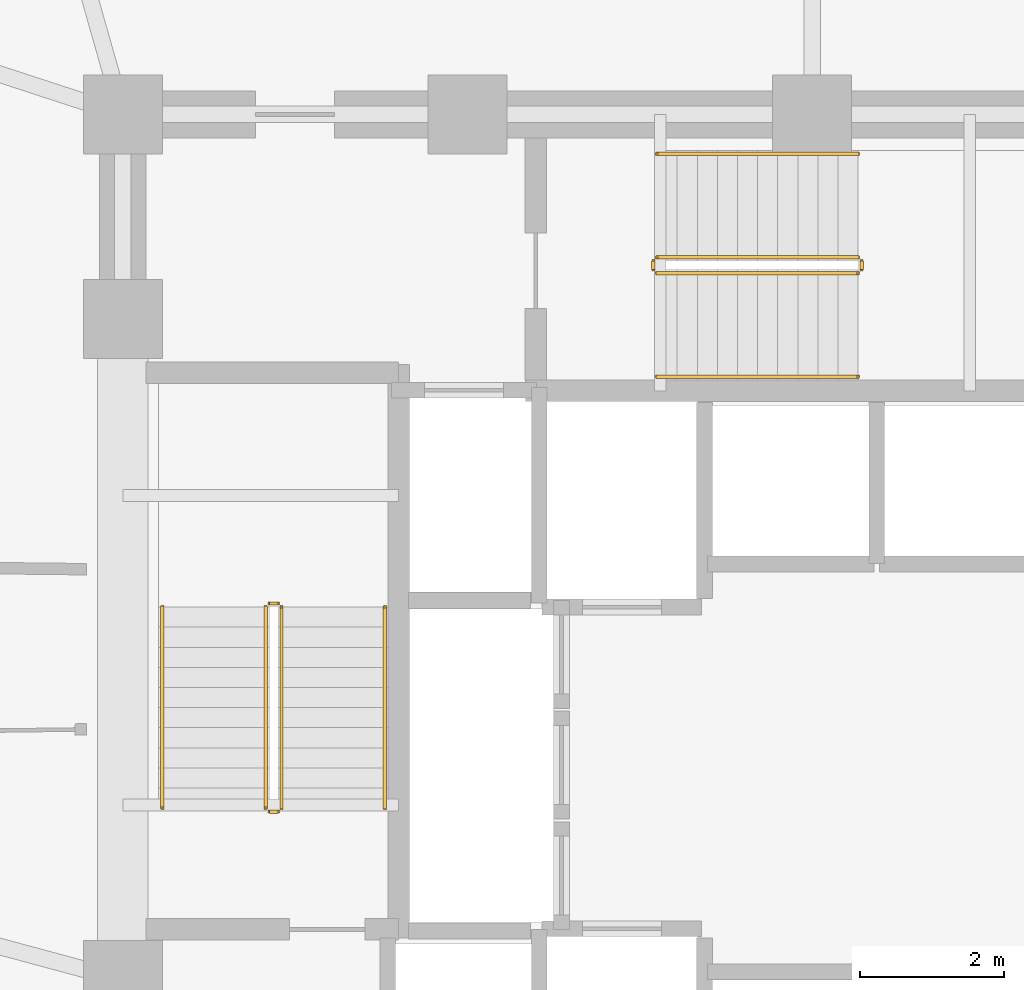
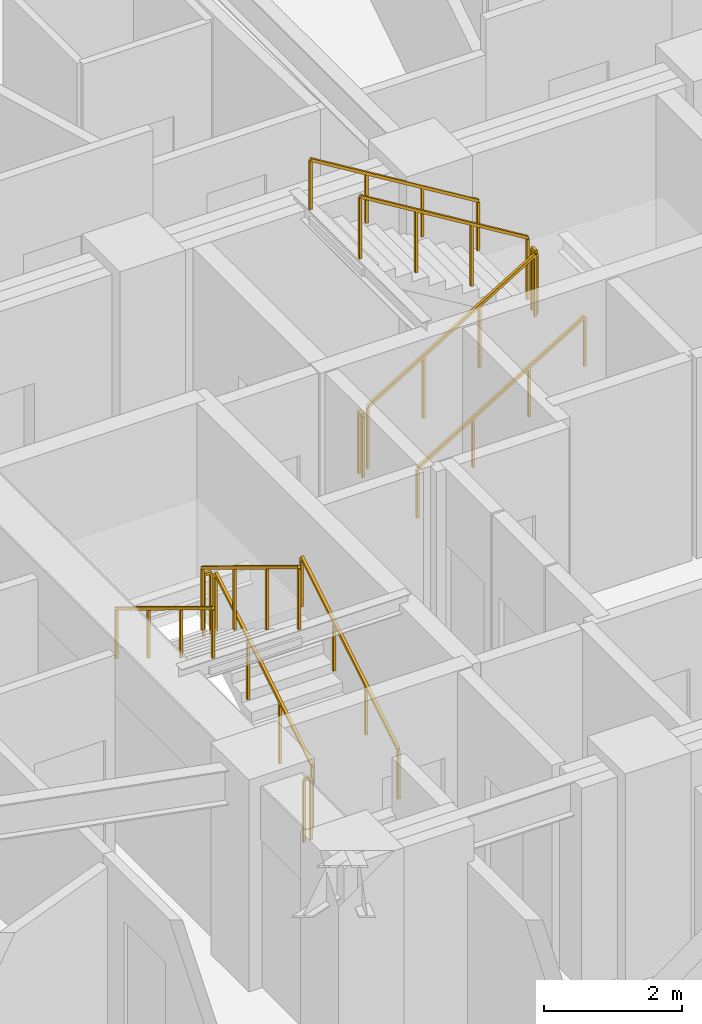
# One storey, part 10 of 12: 12 railings.
"""IFC4 building model written with IfcOpenShell, lengths in metres."""

from ifc_helpers import new_model, si_unit, direction, frame, origin, origin_2d, place, context, subcontext, project, spatial, rectangle, extrude, material, type_object, element, save


model = new_model("IFC4")

# Units and contexts
model_context = context("Model", 3, precision=1e-05, world=origin(), true_north=direction((0.0, 1.0)))
body_context = subcontext(model_context, "Body", "Model", "MODEL_VIEW")
ifc_project = project(units=[si_unit("LENGTHUNIT", "METRE"), si_unit("AREAUNIT", "SQUARE_METRE"), si_unit("VOLUMEUNIT", "CUBIC_METRE"), si_unit("PLANEANGLEUNIT", "RADIAN"), si_unit("MASSUNIT", "GRAM", prefix="KILO")], contexts=[model_context])

# Site, building, storey
site_placement = place(None, origin())
site = spatial("IfcSite", under=ifc_project, at=site_placement, CompositionType="ELEMENT")
building_placement = place(site_placement, origin())
building = spatial("IfcBuilding", under=site, at=building_placement, Name="Vantalir Tower", CompositionType="ELEMENT")
storey_placement = place(building_placement, frame((0.0, 0.0, 38.25)))
storey = spatial("IfcBuildingStorey", under=building, at=storey_placement, Name="L08", CompositionType="ELEMENT", Elevation=38.25)

# Railings
ifc_material_1 = material(Name="Anodised aluminium and stainless steel guard", Category="steel")
railing_type_1 = type_object("IfcRailingType", Name="RAL-GUARD-1120", PredefinedType="GUARDRAIL", material=ifc_material_1)
railing_1_placement = place(storey_placement, frame((24.110107421875, 22.7900390625, 0.17041015625)))
element("IfcRailing", 1, at=railing_1_placement, inside=storey, type_object=railing_type_1, Name="L08 ST1 stair guard 1", PredefinedType="GUARDRAIL", context=body_context, shape_type="SweptSolid", body=[
    extrude(rectangle(XDim=0.048095703125, YDim=0.048095703125, at=origin_2d()), frame((0.0, 0.0, 1.09619140625), z_axis=(0.0, 0.854169791009, 0.51999420009), x_axis=(-1.0, 0.0, 0.0)), (0.0, 0.0, 1.0), 3.278076171875),
    extrude(rectangle(XDim=0.0419921875, YDim=0.0419921875, at=origin_2d()), origin(), (0.0, 0.0, 1.0), 1.072021484375),
    extrude(rectangle(XDim=0.0419921875, YDim=0.0419921875, at=origin_2d()), frame((0.0, 0.933349609375, 0.568115234375)), (0.0, 0.0, 1.0), 1.072021484375),
    extrude(rectangle(XDim=0.0419921875, YDim=0.0419921875, at=origin_2d()), frame((0.0, 1.86669921875, 1.136474609375)), (0.0, 0.0, 1.0), 1.072021484375),
    extrude(rectangle(XDim=0.0419921875, YDim=0.0419921875, at=origin_2d()), frame((0.0, 2.800048828125, 1.70458984375)), (0.0, 0.0, 1.0), 1.072021484375),
])
railing_2_placement = place(storey_placement, frame((24.06005859375, 25.639892578125, 1.875)))
element("IfcRailing", 2, at=railing_2_placement, inside=storey, type_object=railing_type_1, Name="L08 ST1 stair guard 2", PredefinedType="GUARDRAIL", context=body_context, shape_type="SweptSolid", body=[
    extrude(rectangle(XDim=0.048095703125, YDim=0.048095703125, at=origin_2d()), frame((0.0, 0.0, 1.09619140625), z_axis=(-1.0, 0.0, 0.0), x_axis=(0.0, -1.0, 0.0)), (0.0, 0.0, 1.0), 0.1201171875),
    extrude(rectangle(XDim=0.0419921875, YDim=0.0419921875, at=origin_2d()), origin(), (0.0, 0.0, 1.0), 1.072021484375),
    extrude(rectangle(XDim=0.0419921875, YDim=0.0419921875, at=origin_2d()), frame((-0.1201171875, 0.0, 0.0)), (0.0, 0.0, 1.0), 1.072021484375),
])
railing_3_placement = place(storey_placement, frame((23.889892578125, 25.590087890625, 2.04541015625)))
element("IfcRailing", 3, at=railing_3_placement, inside=storey, type_object=railing_type_1, Name="L08 ST1 stair guard 3", PredefinedType="GUARDRAIL", context=body_context, shape_type="SweptSolid", body=[
    extrude(rectangle(XDim=0.048095703125, YDim=0.048095703125, at=origin_2d()), frame((0.0, 0.0, 1.09619140625), z_axis=(0.0, -0.854169791009, 0.51999420009), x_axis=(1.0, 0.0, 0.0)), (0.0, 0.0, 1.0), 3.278076171875),
    extrude(rectangle(XDim=0.0419921875, YDim=0.0419921875, at=origin_2d()), origin(), (0.0, 0.0, 1.0), 1.072021484375),
    extrude(rectangle(XDim=0.0419921875, YDim=0.0419921875, at=origin_2d()), frame((0.0, -0.933349609375, 0.568115234375)), (0.0, 0.0, 1.0), 1.072021484375),
    extrude(rectangle(XDim=0.0419921875, YDim=0.0419921875, at=origin_2d()), frame((0.0, -1.86669921875, 1.136474609375)), (0.0, 0.0, 1.0), 1.072021484375),
    extrude(rectangle(XDim=0.0419921875, YDim=0.0419921875, at=origin_2d()), frame((0.0, -2.800048828125, 1.70458984375)), (0.0, 0.0, 1.0), 1.072021484375),
])
railing_4_placement = place(storey_placement, frame((24.06005859375, 22.739990234375, 0.0)))
element("IfcRailing", 4, at=railing_4_placement, inside=storey, type_object=railing_type_1, Name="L08 ST1 stair guard 4", PredefinedType="GUARDRAIL", context=body_context, shape_type="SweptSolid", body=[
    extrude(rectangle(XDim=0.048095703125, YDim=0.048095703125, at=origin_2d()), frame((0.0, 0.0, 1.09619140625), z_axis=(-1.0, 0.0, 0.0), x_axis=(0.0, -1.0, 0.0)), (0.0, 0.0, 1.0), 0.1201171875),
    extrude(rectangle(XDim=0.0419921875, YDim=0.0419921875, at=origin_2d()), origin(), (0.0, 0.0, 1.0), 1.072021484375),
    extrude(rectangle(XDim=0.0419921875, YDim=0.0419921875, at=origin_2d()), frame((-0.1201171875, 0.0, 0.0)), (0.0, 0.0, 1.0), 1.072021484375),
])
railing_5_placement = place(storey_placement, frame((29.340087890625, 30.239990234375, 0.17041015625)))
element("IfcRailing", 5, at=railing_5_placement, inside=storey, type_object=railing_type_1, Name="L08 ST3 stair guard 1", PredefinedType="GUARDRAIL", context=body_context, shape_type="SweptSolid", body=[
    extrude(rectangle(XDim=0.048095703125, YDim=0.048095703125, at=origin_2d()), frame((0.0, 0.0, 1.09619140625), z_axis=(0.854149651119, 0.0, 0.520027281489), x_axis=(0.0, 1.0, 0.0)), (0.0, 0.0, 1.0), 3.27783203125),
    extrude(rectangle(XDim=0.0419921875, YDim=0.0419921875, at=origin_2d()), origin(), (0.0, 0.0, 1.0), 1.072021484375),
    extrude(rectangle(XDim=0.0419921875, YDim=0.0419921875, at=origin_2d()), frame((0.933349609375, 0.0, 0.568115234375)), (0.0, 0.0, 1.0), 1.072021484375),
    extrude(rectangle(XDim=0.0419921875, YDim=0.0419921875, at=origin_2d()), frame((1.866455078125, 0.0, 1.136474609375)), (0.0, 0.0, 1.0), 1.072021484375),
    extrude(rectangle(XDim=0.0419921875, YDim=0.0419921875, at=origin_2d()), frame((2.7998046875, 0.0, 1.70458984375)), (0.0, 0.0, 1.0), 1.072021484375),
])
railing_6_placement = place(storey_placement, frame((32.18994140625, 30.2900390625, 1.875)))
element("IfcRailing", 6, at=railing_6_placement, inside=storey, type_object=railing_type_1, Name="L08 ST3 stair guard 2", PredefinedType="GUARDRAIL", context=body_context, shape_type="SweptSolid", body=[
    extrude(rectangle(XDim=0.048095703125, YDim=0.048095703125, at=origin_2d()), frame((0.0, 0.0, 1.09619140625), z_axis=(0.0, 1.0, 0.0), x_axis=(-1.0, 0.0, 0.0)), (0.0, 0.0, 1.0), 0.119873046875),
    extrude(rectangle(XDim=0.0419921875, YDim=0.0419921875, at=origin_2d()), origin(), (0.0, 0.0, 1.0), 1.072021484375),
    extrude(rectangle(XDim=0.0419921875, YDim=0.0419921875, at=origin_2d()), frame((0.0, 0.119873046875, 0.0)), (0.0, 0.0, 1.0), 1.072021484375),
])
railing_7_placement = place(storey_placement, frame((32.139892578125, 30.4599609375, 2.04541015625)))
element("IfcRailing", 7, at=railing_7_placement, inside=storey, type_object=railing_type_1, Name="L08 ST3 stair guard 3", PredefinedType="GUARDRAIL", context=body_context, shape_type="SweptSolid", body=[
    extrude(rectangle(XDim=0.048095703125, YDim=0.048095703125, at=origin_2d()), frame((0.0, 0.0, 1.09619140625), z_axis=(-0.854149651119, 0.0, 0.520027281489), x_axis=(0.0, -1.0, 0.0)), (0.0, 0.0, 1.0), 3.27783203125),
    extrude(rectangle(XDim=0.0419921875, YDim=0.0419921875, at=origin_2d()), origin(), (0.0, 0.0, 1.0), 1.072021484375),
    extrude(rectangle(XDim=0.0419921875, YDim=0.0419921875, at=origin_2d()), frame((-0.933349609375, 0.0, 0.568115234375)), (0.0, 0.0, 1.0), 1.072021484375),
    extrude(rectangle(XDim=0.0419921875, YDim=0.0419921875, at=origin_2d()), frame((-1.866455078125, 0.0, 1.136474609375)), (0.0, 0.0, 1.0), 1.072021484375),
    extrude(rectangle(XDim=0.0419921875, YDim=0.0419921875, at=origin_2d()), frame((-2.7998046875, 0.0, 1.70458984375)), (0.0, 0.0, 1.0), 1.072021484375),
])
railing_8_placement = place(storey_placement, frame((29.2900390625, 30.2900390625, 0.0)))
element("IfcRailing", 8, at=railing_8_placement, inside=storey, type_object=railing_type_1, Name="L08 ST3 stair guard 4", PredefinedType="GUARDRAIL", context=body_context, shape_type="SweptSolid", body=[
    extrude(rectangle(XDim=0.048095703125, YDim=0.048095703125, at=origin_2d()), frame((0.0, 0.0, 1.09619140625), z_axis=(0.0, 1.0, 0.0), x_axis=(-1.0, 0.0, 0.0)), (0.0, 0.0, 1.0), 0.119873046875),
    extrude(rectangle(XDim=0.0419921875, YDim=0.0419921875, at=origin_2d()), origin(), (0.0, 0.0, 1.0), 1.072021484375),
    extrude(rectangle(XDim=0.0419921875, YDim=0.0419921875, at=origin_2d()), frame((0.0, 0.119873046875, 0.0)), (0.0, 0.0, 1.0), 1.072021484375),
])
ifc_material_2 = material(Name="Brushed stainless steel tubular handrail", Category="steel")
railing_type_2 = type_object("IfcRailingType", Name="RAL-HANDRAIL-900", PredefinedType="HANDRAIL", material=ifc_material_2)
railing_9_placement = place(storey_placement, frame((25.550048828125, 22.7900390625, 0.17041015625)))
element("IfcRailing", 9, at=railing_9_placement, inside=storey, type_object=railing_type_2, Name="L08 ST1 stair handrail 1", PredefinedType="HANDRAIL", context=body_context, shape_type="SweptSolid", body=[
    extrude(rectangle(XDim=0.048095703125, YDim=0.048095703125, at=origin_2d()), frame((0.0, 0.0, 0.8759765625), z_axis=(0.0, 0.854169791009, 0.51999420009), x_axis=(-1.0, 0.0, 0.0)), (0.0, 0.0, 1.0), 3.278076171875),
    extrude(rectangle(XDim=0.0419921875, YDim=0.0419921875, at=origin_2d()), origin(), (0.0, 0.0, 1.0), 0.851806640625),
    extrude(rectangle(XDim=0.0419921875, YDim=0.0419921875, at=origin_2d()), frame((0.0, 0.933349609375, 0.568115234375)), (0.0, 0.0, 1.0), 0.851806640625),
    extrude(rectangle(XDim=0.0419921875, YDim=0.0419921875, at=origin_2d()), frame((0.0, 1.86669921875, 1.136474609375)), (0.0, 0.0, 1.0), 0.851806640625),
    extrude(rectangle(XDim=0.0419921875, YDim=0.0419921875, at=origin_2d()), frame((0.0, 2.800048828125, 1.70458984375)), (0.0, 0.0, 1.0), 0.851806640625),
])
railing_10_placement = place(storey_placement, frame((22.449951171875, 25.590087890625, 2.04541015625)))
element("IfcRailing", 10, at=railing_10_placement, inside=storey, type_object=railing_type_2, Name="L08 ST1 stair handrail 2", PredefinedType="HANDRAIL", context=body_context, shape_type="SweptSolid", body=[
    extrude(rectangle(XDim=0.048095703125, YDim=0.048095703125, at=origin_2d()), frame((0.0, 0.0, 0.8759765625), z_axis=(0.0, -0.854169791009, 0.51999420009), x_axis=(1.0, 0.0, 0.0)), (0.0, 0.0, 1.0), 3.278076171875),
    extrude(rectangle(XDim=0.0419921875, YDim=0.0419921875, at=origin_2d()), origin(), (0.0, 0.0, 1.0), 0.851806640625),
    extrude(rectangle(XDim=0.0419921875, YDim=0.0419921875, at=origin_2d()), frame((0.0, -0.933349609375, 0.568115234375)), (0.0, 0.0, 1.0), 0.851806640625),
    extrude(rectangle(XDim=0.0419921875, YDim=0.0419921875, at=origin_2d()), frame((0.0, -1.86669921875, 1.136474609375)), (0.0, 0.0, 1.0), 0.851806640625),
    extrude(rectangle(XDim=0.0419921875, YDim=0.0419921875, at=origin_2d()), frame((0.0, -2.800048828125, 1.70458984375)), (0.0, 0.0, 1.0), 0.851806640625),
])
railing_11_placement = place(storey_placement, frame((29.340087890625, 28.800048828125, 0.17041015625)))
element("IfcRailing", 11, at=railing_11_placement, inside=storey, type_object=railing_type_2, Name="L08 ST3 stair handrail 1", PredefinedType="HANDRAIL", context=body_context, shape_type="SweptSolid", body=[
    extrude(rectangle(XDim=0.048095703125, YDim=0.048095703125, at=origin_2d()), frame((0.0, 0.0, 0.8759765625), z_axis=(0.854149651119, 0.0, 0.520027281489), x_axis=(0.0, 1.0, 0.0)), (0.0, 0.0, 1.0), 3.27783203125),
    extrude(rectangle(XDim=0.0419921875, YDim=0.0419921875, at=origin_2d()), origin(), (0.0, 0.0, 1.0), 0.851806640625),
    extrude(rectangle(XDim=0.0419921875, YDim=0.0419921875, at=origin_2d()), frame((0.933349609375, 0.0, 0.568115234375)), (0.0, 0.0, 1.0), 0.851806640625),
    extrude(rectangle(XDim=0.0419921875, YDim=0.0419921875, at=origin_2d()), frame((1.866455078125, 0.0, 1.136474609375)), (0.0, 0.0, 1.0), 0.851806640625),
    extrude(rectangle(XDim=0.0419921875, YDim=0.0419921875, at=origin_2d()), frame((2.7998046875, 0.0, 1.70458984375)), (0.0, 0.0, 1.0), 0.851806640625),
])
railing_12_placement = place(storey_placement, frame((32.139892578125, 31.89990234375, 2.04541015625)))
element("IfcRailing", 12, at=railing_12_placement, inside=storey, type_object=railing_type_2, Name="L08 ST3 stair handrail 2", PredefinedType="HANDRAIL", context=body_context, shape_type="SweptSolid", body=[
    extrude(rectangle(XDim=0.048095703125, YDim=0.048095703125, at=origin_2d()), frame((0.0, 0.0, 0.8759765625), z_axis=(-0.854149651119, 0.0, 0.520027281489), x_axis=(0.0, -1.0, 0.0)), (0.0, 0.0, 1.0), 3.27783203125),
    extrude(rectangle(XDim=0.0419921875, YDim=0.0419921875, at=origin_2d()), origin(), (0.0, 0.0, 1.0), 0.851806640625),
    extrude(rectangle(XDim=0.0419921875, YDim=0.0419921875, at=origin_2d()), frame((-0.933349609375, 0.0, 0.568115234375)), (0.0, 0.0, 1.0), 0.851806640625),
    extrude(rectangle(XDim=0.0419921875, YDim=0.0419921875, at=origin_2d()), frame((-1.866455078125, 0.0, 1.136474609375)), (0.0, 0.0, 1.0), 0.851806640625),
    extrude(rectangle(XDim=0.0419921875, YDim=0.0419921875, at=origin_2d()), frame((-2.7998046875, 0.0, 1.70458984375)), (0.0, 0.0, 1.0), 0.851806640625),
])

save(model, "model.ifc")
